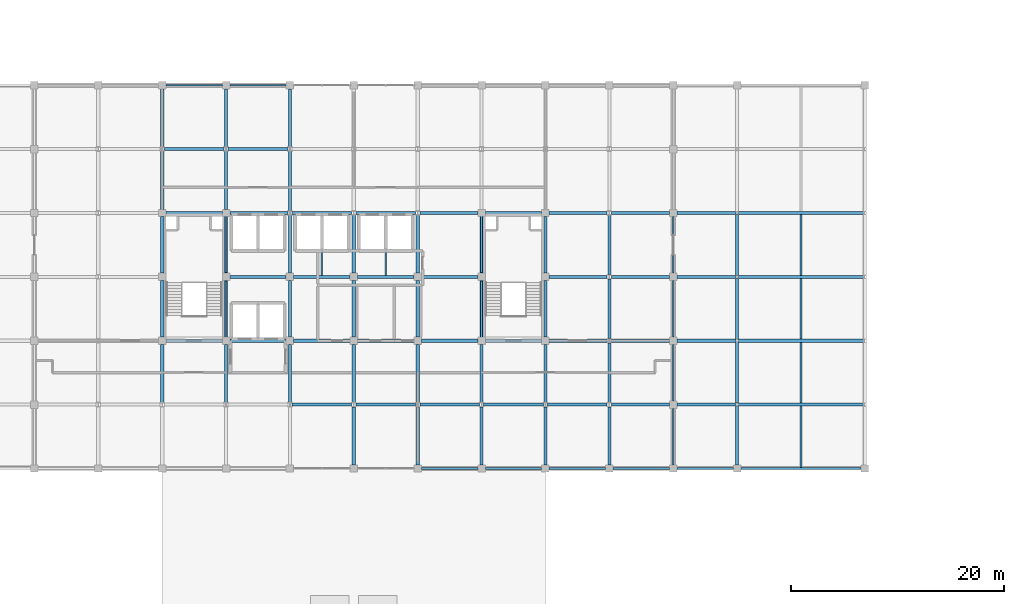
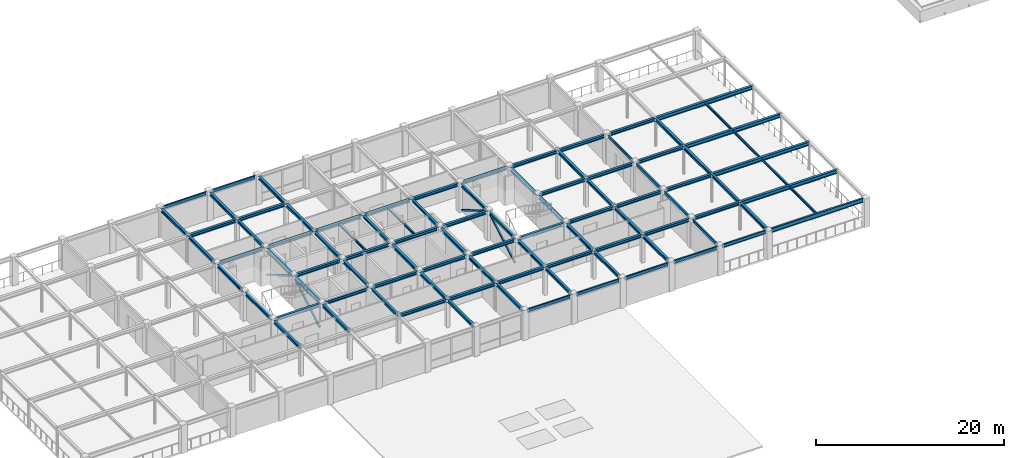
# One storey, part 14 of 25: 95 beams, 4 members.
"""IFC4 building model written with IfcOpenShell, lengths in metres."""

from ifc_helpers import new_model, si_unit, direction, frame, origin, origin_2d, place, context, subcontext, project, spatial, hollow_rectangle, i_section, extrude, material, material_profile, profile_set, type_object, element, save


model = new_model("IFC4")

# Units and contexts
model_context = context("Model", 3, precision=1e-05, world=origin(), true_north=direction((0.0, 1.0)))
body_context = subcontext(model_context, "Body", "Model", "MODEL_VIEW")
ifc_project = project(units=[si_unit("LENGTHUNIT", "METRE"), si_unit("AREAUNIT", "SQUARE_METRE"), si_unit("VOLUMEUNIT", "CUBIC_METRE"), si_unit("PLANEANGLEUNIT", "RADIAN"), si_unit("MASSUNIT", "GRAM", prefix="KILO")], contexts=[model_context])

# Site, building, storey
site_placement = place(None, origin())
site = spatial("IfcSite", under=ifc_project, at=site_placement, CompositionType="ELEMENT")
building_placement = place(site_placement, origin())
building = spatial("IfcBuilding", under=site, at=building_placement, Name="Zlatovratsky Civic Hall", CompositionType="ELEMENT")
storey_placement = place(building_placement, frame((0.0, 0.0, 21.0)))
storey = spatial("IfcBuildingStorey", under=building, at=storey_placement, Name="L05", CompositionType="ELEMENT", Elevation=21.0)

# Beams
ifc_material = material(Name="Steel S355", Category="steel")
ifc_material_profile_1 = material_profile(ifc_material, i_section(OverallWidth=0.300048828125, OverallDepth=0.487060546875, WebThickness=0.014404296875, FlangeThickness=0.017578125, FilletRadius=0.02392578125, at=origin_2d()), Name="50Sh2")
ifc_profile_set_1 = profile_set([ifc_material_profile_1], Name="Steel S355")
beam_type_1 = type_object("IfcBeamType", Name="Beam_ArchiveGirder_50Sh2", PredefinedType="BEAM", material=ifc_profile_set_1)
for number, where, z_axis, x_axis, name in (
    (1, (120.136474609375, 78.0, 3.45654296875), (1.0, 0.0, 0.0), (0.0, 1.0, 0.0), "BM-3936"),
    (2, (120.136474609375, 84.0, 3.45654296875), (1.0, 0.0, 0.0), (0.0, 1.0, 0.0), "BM-3950"),
    (3, (120.136474609375, 90.0, 3.45654296875), (1.0, 0.0, 0.0), (0.0, 1.0, 0.0), "BM-3962"),
    (4, (120.136474609375, 96.0, 3.45654296875), (1.0, 0.0, 0.0), (0.0, 1.0, 0.0), "BM-3976"),
):
    element("IfcBeam", number, at=place(storey_placement, frame(where, z_axis=z_axis, x_axis=x_axis)), inside=storey, type_object=beam_type_1, Name=name, PredefinedType="BEAM", context=body_context, shape_type="SweptSolid", body=[
        extrude(i_section(OverallWidth=0.300048828125, OverallDepth=0.487060546875, WebThickness=0.014404296875, FlangeThickness=0.017578125, FilletRadius=0.02392578125, at=origin_2d()), origin(), (0.0, 0.0, 1.0), 11.72705078125),
    ])
ifc_material_profile_2 = material_profile(ifc_material, i_section(OverallWidth=0.169921875, OverallDepth=0.446044921875, WebThickness=0.007568359375, FlangeThickness=0.010986328125, FilletRadius=0.01611328125, at=origin_2d()), Name="45B1")
ifc_profile_set_2 = profile_set([ifc_material_profile_2], Name="Steel S355")
beam_type_2 = type_object("IfcBeamType", Name="Beam_Spandrel_45B1", PredefinedType="SPANDREL", material=ifc_profile_set_2)
for number, where, z_axis, x_axis, name in (
    (5, (90.35009765625, 72.0, 3.47705078125), (1.0, 0.0, 0.0), (0.0, 1.0, 0.0), "BM-3917"),
    (6, (96.35009765625, 72.0, 3.47705078125), (1.0, 0.0, 0.0), (0.0, 1.0, 0.0), "BM-3918"),
    (7, (102.35009765625, 72.0, 3.47705078125), (1.0, 0.0, 0.0), (0.0, 1.0, 0.0), "BM-3919"),
    (8, (108.35009765625, 72.0, 3.47705078125), (1.0, 0.0, 0.0), (0.0, 1.0, 0.0), "BM-3920"),
    (9, (114.35009765625, 72.0, 3.47705078125), (1.0, 0.0, 0.0), (0.0, 1.0, 0.0), "BM-3921"),
    (10, (66.35009765625, 108.0, 3.47705078125), (1.0, 0.0, 0.0), (0.0, 1.0, 0.0), "BM-3995"),
    (11, (72.35009765625, 108.0, 3.47705078125), (1.0, 0.0, 0.0), (0.0, 1.0, 0.0), "BM-3996"),
    (12, (114.0, 72.35009765625, 3.47705078125), (0.0, 1.0, 0.0), (-1.0, 0.0, 0.0), "BM-4077"),
    (13, (114.0, 78.35009765625, 3.47705078125), (0.0, 1.0, 0.0), (-1.0, 0.0, 0.0), "BM-4078"),
    (14, (114.0, 84.35009765625, 3.47705078125), (0.0, 1.0, 0.0), (-1.0, 0.0, 0.0), "BM-4079"),
    (15, (114.0, 90.35009765625, 3.47705078125), (0.0, 1.0, 0.0), (-1.0, 0.0, 0.0), "BM-4080"),
):
    element("IfcBeam", number, at=place(storey_placement, frame(where, z_axis=z_axis, x_axis=x_axis)), inside=storey, type_object=beam_type_2, Name=name, PredefinedType="SPANDREL", context=body_context, shape_type="SweptSolid", body=[
        extrude(i_section(OverallWidth=0.169921875, OverallDepth=0.446044921875, WebThickness=0.007568359375, FlangeThickness=0.010986328125, FilletRadius=0.01611328125, at=origin_2d()), origin(), (0.0, 0.0, 1.0), 5.2998046875),
    ])
ifc_material_profile_3 = material_profile(ifc_material, i_section(OverallWidth=0.219970703125, OverallDepth=0.54296875, WebThickness=0.009521484375, FlangeThickness=0.013427734375, FilletRadius=0.01806640625, at=origin_2d()), Name="55B1")
ifc_profile_set_3 = profile_set([ifc_material_profile_3], Name="Steel S355")
beam_type_3 = type_object("IfcBeamType", Name="Beam_Spandrel_55B1", PredefinedType="SPANDREL", material=ifc_profile_set_3)
beam_1_placement = place(storey_placement, frame((120.35009765625, 72.0, 3.428466796875), z_axis=(1.0, 0.0, 0.0), x_axis=(0.0, 1.0, 0.0)))
element("IfcBeam", 16, at=beam_1_placement, inside=storey, type_object=beam_type_3, Name="BM-3922", PredefinedType="SPANDREL", context=body_context, shape_type="SweptSolid", body=[
    extrude(i_section(OverallWidth=0.219970703125, OverallDepth=0.54296875, WebThickness=0.009521484375, FlangeThickness=0.013427734375, FilletRadius=0.01806640625, at=origin_2d()), origin(), (0.0, 0.0, 1.0), 11.2998046875),
])
ifc_material_profile_4 = material_profile(ifc_material, i_section(OverallWidth=0.300048828125, OverallDepth=0.387939453125, WebThickness=0.009521484375, FlangeThickness=0.013916015625, FilletRadius=0.02197265625, at=origin_2d()), Name="40Sh1")
ifc_profile_set_4 = profile_set([ifc_material_profile_4], Name="Steel S355")
beam_type_4 = type_object("IfcBeamType", Name="Beam_TowerMid_40Sh1", PredefinedType="BEAM", material=ifc_profile_set_4)
for number, where, z_axis, x_axis, name in (
    (17, (78.199951171875, 78.0, 3.506103515625), (1.0, 0.0, 0.0), (0.0, 1.0, 0.0), "BM-3929"),
    (18, (84.199951171875, 78.0, 3.506103515625), (1.0, 0.0, 0.0), (0.0, 1.0, 0.0), "BM-3930"),
    (19, (90.199951171875, 78.0, 3.506103515625), (1.0, 0.0, 0.0), (0.0, 1.0, 0.0), "BM-3931"),
    (20, (96.199951171875, 78.0, 3.506103515625), (1.0, 0.0, 0.0), (0.0, 1.0, 0.0), "BM-3932"),
    (21, (102.199951171875, 78.0, 3.506103515625), (1.0, 0.0, 0.0), (0.0, 1.0, 0.0), "BM-3933"),
):
    element("IfcBeam", number, at=place(storey_placement, frame(where, z_axis=z_axis, x_axis=x_axis)), inside=storey, type_object=beam_type_4, Name=name, PredefinedType="BEAM", context=body_context, shape_type="SweptSolid", body=[
        extrude(i_section(OverallWidth=0.300048828125, OverallDepth=0.387939453125, WebThickness=0.009521484375, FlangeThickness=0.013916015625, FilletRadius=0.02197265625, at=origin_2d()), origin(), (0.0, 0.0, 1.0), 5.60009765625),
    ])
beam_2_placement = place(storey_placement, frame((108.199951171875, 78.0, 3.506103515625), z_axis=(1.0, 0.0, 0.0), x_axis=(0.0, 1.0, 0.0)))
element("IfcBeam", 22, at=beam_2_placement, inside=storey, type_object=beam_type_4, Name="BM-3934", PredefinedType="BEAM", context=body_context, shape_type="SweptSolid", body=[
    extrude(i_section(OverallWidth=0.300048828125, OverallDepth=0.387939453125, WebThickness=0.009521484375, FlangeThickness=0.013916015625, FilletRadius=0.02197265625, at=origin_2d()), origin(), (0.0, 0.0, 1.0), 5.449951171875),
])
beam_3_placement = place(storey_placement, frame((114.35009765625, 78.0, 3.506103515625), z_axis=(1.0, 0.0, 0.0), x_axis=(0.0, 1.0, 0.0)))
element("IfcBeam", 23, at=beam_3_placement, inside=storey, type_object=beam_type_4, Name="BM-3935", PredefinedType="BEAM", context=body_context, shape_type="SweptSolid", body=[
    extrude(i_section(OverallWidth=0.300048828125, OverallDepth=0.387939453125, WebThickness=0.009521484375, FlangeThickness=0.013916015625, FilletRadius=0.02197265625, at=origin_2d()), origin(), (0.0, 0.0, 1.0), 5.513427734375),
])
for number, where, z_axis, x_axis, name in (
    (24, (66.35009765625, 84.0, 3.506103515625), (1.0, 0.0, 0.0), (0.0, 1.0, 0.0), "BM-3941"),
    (25, (72.35009765625, 84.0, 3.506103515625), (1.0, 0.0, 0.0), (0.0, 1.0, 0.0), "BM-3942"),
    (26, (78.35009765625, 84.0, 3.506103515625), (1.0, 0.0, 0.0), (0.0, 1.0, 0.0), "BM-3943"),
    (27, (84.35009765625, 84.0, 3.506103515625), (1.0, 0.0, 0.0), (0.0, 1.0, 0.0), "BM-3944"),
    (28, (90.35009765625, 84.0, 3.506103515625), (1.0, 0.0, 0.0), (0.0, 1.0, 0.0), "BM-3945"),
    (29, (96.35009765625, 84.0, 3.506103515625), (1.0, 0.0, 0.0), (0.0, 1.0, 0.0), "BM-3946"),
):
    element("IfcBeam", number, at=place(storey_placement, frame(where, z_axis=z_axis, x_axis=x_axis)), inside=storey, type_object=beam_type_4, Name=name, PredefinedType="BEAM", context=body_context, shape_type="SweptSolid", body=[
        extrude(i_section(OverallWidth=0.300048828125, OverallDepth=0.387939453125, WebThickness=0.009521484375, FlangeThickness=0.013916015625, FilletRadius=0.02197265625, at=origin_2d()), origin(), (0.0, 0.0, 1.0), 5.2998046875),
    ])
for number, where, z_axis, x_axis, name in (
    (30, (102.35009765625, 84.0, 3.506103515625), (1.0, 0.0, 0.0), (0.0, 1.0, 0.0), "BM-3947"),
    (31, (108.199951171875, 84.0, 3.506103515625), (1.0, 0.0, 0.0), (0.0, 1.0, 0.0), "BM-3948"),
):
    element("IfcBeam", number, at=place(storey_placement, frame(where, z_axis=z_axis, x_axis=x_axis)), inside=storey, type_object=beam_type_4, Name=name, PredefinedType="BEAM", context=body_context, shape_type="SweptSolid", body=[
        extrude(i_section(OverallWidth=0.300048828125, OverallDepth=0.387939453125, WebThickness=0.009521484375, FlangeThickness=0.013916015625, FilletRadius=0.02197265625, at=origin_2d()), origin(), (0.0, 0.0, 1.0), 5.449951171875),
    ])
beam_4_placement = place(storey_placement, frame((114.35009765625, 84.0, 3.506103515625), z_axis=(1.0, 0.0, 0.0), x_axis=(0.0, 1.0, 0.0)))
element("IfcBeam", 32, at=beam_4_placement, inside=storey, type_object=beam_type_4, Name="BM-3949", PredefinedType="BEAM", context=body_context, shape_type="SweptSolid", body=[
    extrude(i_section(OverallWidth=0.300048828125, OverallDepth=0.387939453125, WebThickness=0.009521484375, FlangeThickness=0.013916015625, FilletRadius=0.02197265625, at=origin_2d()), origin(), (0.0, 0.0, 1.0), 5.513427734375),
])
for number, where, z_axis, x_axis, name in (
    (33, (72.35009765625, 90.0, 3.506103515625), (1.0, 0.0, 0.0), (0.0, 1.0, 0.0), "BM-3955"),
    (34, (78.35009765625, 90.0, 3.506103515625), (1.0, 0.0, 0.0), (0.0, 1.0, 0.0), "BM-3956"),
    (35, (84.35009765625, 90.0, 3.506103515625), (1.0, 0.0, 0.0), (0.0, 1.0, 0.0), "BM-3957"),
    (36, (90.35009765625, 90.0, 3.506103515625), (1.0, 0.0, 0.0), (0.0, 1.0, 0.0), "BM-3958"),
):
    element("IfcBeam", number, at=place(storey_placement, frame(where, z_axis=z_axis, x_axis=x_axis)), inside=storey, type_object=beam_type_4, Name=name, PredefinedType="BEAM", context=body_context, shape_type="SweptSolid", body=[
        extrude(i_section(OverallWidth=0.300048828125, OverallDepth=0.387939453125, WebThickness=0.009521484375, FlangeThickness=0.013916015625, FilletRadius=0.02197265625, at=origin_2d()), origin(), (0.0, 0.0, 1.0), 5.2998046875),
    ])
for number, where, z_axis, x_axis, name in (
    (37, (102.35009765625, 90.0, 3.506103515625), (1.0, 0.0, 0.0), (0.0, 1.0, 0.0), "BM-3959"),
    (38, (108.199951171875, 90.0, 3.506103515625), (1.0, 0.0, 0.0), (0.0, 1.0, 0.0), "BM-3960"),
):
    element("IfcBeam", number, at=place(storey_placement, frame(where, z_axis=z_axis, x_axis=x_axis)), inside=storey, type_object=beam_type_4, Name=name, PredefinedType="BEAM", context=body_context, shape_type="SweptSolid", body=[
        extrude(i_section(OverallWidth=0.300048828125, OverallDepth=0.387939453125, WebThickness=0.009521484375, FlangeThickness=0.013916015625, FilletRadius=0.02197265625, at=origin_2d()), origin(), (0.0, 0.0, 1.0), 5.449951171875),
    ])
beam_5_placement = place(storey_placement, frame((114.35009765625, 90.0, 3.506103515625), z_axis=(1.0, 0.0, 0.0), x_axis=(0.0, 1.0, 0.0)))
element("IfcBeam", 39, at=beam_5_placement, inside=storey, type_object=beam_type_4, Name="BM-3961", PredefinedType="BEAM", context=body_context, shape_type="SweptSolid", body=[
    extrude(i_section(OverallWidth=0.300048828125, OverallDepth=0.387939453125, WebThickness=0.009521484375, FlangeThickness=0.013916015625, FilletRadius=0.02197265625, at=origin_2d()), origin(), (0.0, 0.0, 1.0), 5.513427734375),
])
beam_6_placement = place(storey_placement, frame((66.35009765625, 96.0, 3.506103515625), z_axis=(1.0, 0.0, 0.0), x_axis=(0.0, 1.0, 0.0)))
element("IfcBeam", 40, at=beam_6_placement, inside=storey, type_object=beam_type_4, Name="BM-3967", PredefinedType="BEAM", context=body_context, shape_type="SweptSolid", body=[
    extrude(i_section(OverallWidth=0.300048828125, OverallDepth=0.387939453125, WebThickness=0.009521484375, FlangeThickness=0.013916015625, FilletRadius=0.02197265625, at=origin_2d()), origin(), (0.0, 0.0, 1.0), 5.2998046875),
])
beam_7_placement = place(storey_placement, frame((72.35009765625, 96.0, 3.506103515625), z_axis=(1.0, 0.0, 0.0), x_axis=(0.0, 1.0, 0.0)))
element("IfcBeam", 41, at=beam_7_placement, inside=storey, type_object=beam_type_4, Name="BM-3968", PredefinedType="BEAM", context=body_context, shape_type="SweptSolid", body=[
    extrude(i_section(OverallWidth=0.300048828125, OverallDepth=0.387939453125, WebThickness=0.009521484375, FlangeThickness=0.013916015625, FilletRadius=0.02197265625, at=origin_2d()), origin(), (0.0, 0.0, 1.0), 5.449951171875),
])
for number, where, z_axis, x_axis, name in (
    (42, (78.199951171875, 96.0, 3.506103515625), (1.0, 0.0, 0.0), (0.0, 1.0, 0.0), "BM-3969"),
    (43, (84.199951171875, 96.0, 3.506103515625), (1.0, 0.0, 0.0), (0.0, 1.0, 0.0), "BM-3970"),
):
    element("IfcBeam", number, at=place(storey_placement, frame(where, z_axis=z_axis, x_axis=x_axis)), inside=storey, type_object=beam_type_4, Name=name, PredefinedType="BEAM", context=body_context, shape_type="SweptSolid", body=[
        extrude(i_section(OverallWidth=0.300048828125, OverallDepth=0.387939453125, WebThickness=0.009521484375, FlangeThickness=0.013916015625, FilletRadius=0.02197265625, at=origin_2d()), origin(), (0.0, 0.0, 1.0), 5.60009765625),
    ])
beam_8_placement = place(storey_placement, frame((90.199951171875, 96.0, 3.506103515625), z_axis=(1.0, 0.0, 0.0), x_axis=(0.0, 1.0, 0.0)))
element("IfcBeam", 44, at=beam_8_placement, inside=storey, type_object=beam_type_4, Name="BM-3971", PredefinedType="BEAM", context=body_context, shape_type="SweptSolid", body=[
    extrude(i_section(OverallWidth=0.300048828125, OverallDepth=0.387939453125, WebThickness=0.009521484375, FlangeThickness=0.013916015625, FilletRadius=0.02197265625, at=origin_2d()), origin(), (0.0, 0.0, 1.0), 5.449951171875),
])
beam_9_placement = place(storey_placement, frame((96.35009765625, 96.0, 3.506103515625), z_axis=(1.0, 0.0, 0.0), x_axis=(0.0, 1.0, 0.0)))
element("IfcBeam", 45, at=beam_9_placement, inside=storey, type_object=beam_type_4, Name="BM-3972", PredefinedType="BEAM", context=body_context, shape_type="SweptSolid", body=[
    extrude(i_section(OverallWidth=0.300048828125, OverallDepth=0.387939453125, WebThickness=0.009521484375, FlangeThickness=0.013916015625, FilletRadius=0.02197265625, at=origin_2d()), origin(), (0.0, 0.0, 1.0), 5.2998046875),
])
for number, where, z_axis, x_axis, name in (
    (46, (102.35009765625, 96.0, 3.506103515625), (1.0, 0.0, 0.0), (0.0, 1.0, 0.0), "BM-3973"),
    (47, (108.199951171875, 96.0, 3.506103515625), (1.0, 0.0, 0.0), (0.0, 1.0, 0.0), "BM-3974"),
):
    element("IfcBeam", number, at=place(storey_placement, frame(where, z_axis=z_axis, x_axis=x_axis)), inside=storey, type_object=beam_type_4, Name=name, PredefinedType="BEAM", context=body_context, shape_type="SweptSolid", body=[
        extrude(i_section(OverallWidth=0.300048828125, OverallDepth=0.387939453125, WebThickness=0.009521484375, FlangeThickness=0.013916015625, FilletRadius=0.02197265625, at=origin_2d()), origin(), (0.0, 0.0, 1.0), 5.449951171875),
    ])
beam_10_placement = place(storey_placement, frame((114.35009765625, 96.0, 3.506103515625), z_axis=(1.0, 0.0, 0.0), x_axis=(0.0, 1.0, 0.0)))
element("IfcBeam", 48, at=beam_10_placement, inside=storey, type_object=beam_type_4, Name="BM-3975", PredefinedType="BEAM", context=body_context, shape_type="SweptSolid", body=[
    extrude(i_section(OverallWidth=0.300048828125, OverallDepth=0.387939453125, WebThickness=0.009521484375, FlangeThickness=0.013916015625, FilletRadius=0.02197265625, at=origin_2d()), origin(), (0.0, 0.0, 1.0), 5.513427734375),
])
for number, where, z_axis, x_axis, name in (
    (49, (66.199951171875, 102.0, 3.506103515625), (1.0, 0.0, 0.0), (0.0, 1.0, 0.0), "BM-3981"),
    (50, (72.199951171875, 102.0, 3.506103515625), (1.0, 0.0, 0.0), (0.0, 1.0, 0.0), "BM-3982"),
):
    element("IfcBeam", number, at=place(storey_placement, frame(where, z_axis=z_axis, x_axis=x_axis)), inside=storey, type_object=beam_type_4, Name=name, PredefinedType="BEAM", context=body_context, shape_type="SweptSolid", body=[
        extrude(i_section(OverallWidth=0.300048828125, OverallDepth=0.387939453125, WebThickness=0.009521484375, FlangeThickness=0.013916015625, FilletRadius=0.02197265625, at=origin_2d()), origin(), (0.0, 0.0, 1.0), 5.60009765625),
    ])
beam_11_placement = place(storey_placement, frame((66.0, 78.199951171875, 3.506103515625), z_axis=(0.0, 1.0, 0.0), x_axis=(-1.0, 0.0, 0.0)))
element("IfcBeam", 51, at=beam_11_placement, inside=storey, type_object=beam_type_4, Name="BM-4030", PredefinedType="BEAM", context=body_context, shape_type="SweptSolid", body=[
    extrude(i_section(OverallWidth=0.300048828125, OverallDepth=0.387939453125, WebThickness=0.009521484375, FlangeThickness=0.013916015625, FilletRadius=0.02197265625, at=origin_2d()), origin(), (0.0, 0.0, 1.0), 5.449951171875),
])
for number, where, z_axis, x_axis, name in (
    (52, (66.0, 84.35009765625, 3.506103515625), (0.0, 1.0, 0.0), (-1.0, 0.0, 0.0), "BM-4031"),
    (53, (66.0, 90.35009765625, 3.506103515625), (0.0, 1.0, 0.0), (-1.0, 0.0, 0.0), "BM-4032"),
):
    element("IfcBeam", number, at=place(storey_placement, frame(where, z_axis=z_axis, x_axis=x_axis)), inside=storey, type_object=beam_type_4, Name=name, PredefinedType="BEAM", context=body_context, shape_type="SweptSolid", body=[
        extrude(i_section(OverallWidth=0.300048828125, OverallDepth=0.387939453125, WebThickness=0.009521484375, FlangeThickness=0.013916015625, FilletRadius=0.02197265625, at=origin_2d()), origin(), (0.0, 0.0, 1.0), 5.2998046875),
    ])
for number, where, z_axis, x_axis, name in (
    (54, (66.0, 96.35009765625, 3.506103515625), (0.0, 1.0, 0.0), (-1.0, 0.0, 0.0), "BM-4033"),
    (55, (66.0, 102.199951171875, 3.506103515625), (0.0, 1.0, 0.0), (-1.0, 0.0, 0.0), "BM-4034"),
    (56, (72.0, 78.199951171875, 3.506103515625), (0.0, 1.0, 0.0), (-1.0, 0.0, 0.0), "BM-4036"),
):
    element("IfcBeam", number, at=place(storey_placement, frame(where, z_axis=z_axis, x_axis=x_axis)), inside=storey, type_object=beam_type_4, Name=name, PredefinedType="BEAM", context=body_context, shape_type="SweptSolid", body=[
        extrude(i_section(OverallWidth=0.300048828125, OverallDepth=0.387939453125, WebThickness=0.009521484375, FlangeThickness=0.013916015625, FilletRadius=0.02197265625, at=origin_2d()), origin(), (0.0, 0.0, 1.0), 5.449951171875),
    ])
for number, where, z_axis, x_axis, name in (
    (57, (72.0, 84.35009765625, 3.506103515625), (0.0, 1.0, 0.0), (-1.0, 0.0, 0.0), "BM-4037"),
    (58, (72.0, 90.35009765625, 3.506103515625), (0.0, 1.0, 0.0), (-1.0, 0.0, 0.0), "BM-4038"),
):
    element("IfcBeam", number, at=place(storey_placement, frame(where, z_axis=z_axis, x_axis=x_axis)), inside=storey, type_object=beam_type_4, Name=name, PredefinedType="BEAM", context=body_context, shape_type="SweptSolid", body=[
        extrude(i_section(OverallWidth=0.300048828125, OverallDepth=0.387939453125, WebThickness=0.009521484375, FlangeThickness=0.013916015625, FilletRadius=0.02197265625, at=origin_2d()), origin(), (0.0, 0.0, 1.0), 5.2998046875),
    ])
for number, where, z_axis, x_axis, name in (
    (59, (72.0, 96.35009765625, 3.506103515625), (0.0, 1.0, 0.0), (-1.0, 0.0, 0.0), "BM-4039"),
    (60, (72.0, 102.199951171875, 3.506103515625), (0.0, 1.0, 0.0), (-1.0, 0.0, 0.0), "BM-4040"),
    (61, (78.0, 78.199951171875, 3.506103515625), (0.0, 1.0, 0.0), (-1.0, 0.0, 0.0), "BM-4042"),
):
    element("IfcBeam", number, at=place(storey_placement, frame(where, z_axis=z_axis, x_axis=x_axis)), inside=storey, type_object=beam_type_4, Name=name, PredefinedType="BEAM", context=body_context, shape_type="SweptSolid", body=[
        extrude(i_section(OverallWidth=0.300048828125, OverallDepth=0.387939453125, WebThickness=0.009521484375, FlangeThickness=0.013916015625, FilletRadius=0.02197265625, at=origin_2d()), origin(), (0.0, 0.0, 1.0), 5.449951171875),
    ])
beam_12_placement = place(storey_placement, frame((78.0, 84.35009765625, 3.506103515625), z_axis=(0.0, 1.0, 0.0), x_axis=(-1.0, 0.0, 0.0)))
element("IfcBeam", 62, at=beam_12_placement, inside=storey, type_object=beam_type_4, Name="BM-4043", PredefinedType="BEAM", context=body_context, shape_type="SweptSolid", body=[
    extrude(i_section(OverallWidth=0.300048828125, OverallDepth=0.387939453125, WebThickness=0.009521484375, FlangeThickness=0.013916015625, FilletRadius=0.02197265625, at=origin_2d()), origin(), (0.0, 0.0, 1.0), 5.2998046875),
])
beam_13_placement = place(storey_placement, frame((78.0, 90.35009765625, 3.506103515625), z_axis=(0.0, 1.0, 0.0), x_axis=(-1.0, 0.0, 0.0)))
element("IfcBeam", 63, at=beam_13_placement, inside=storey, type_object=beam_type_4, Name="BM-4044", PredefinedType="BEAM", context=body_context, shape_type="SweptSolid", body=[
    extrude(i_section(OverallWidth=0.300048828125, OverallDepth=0.387939453125, WebThickness=0.009521484375, FlangeThickness=0.013916015625, FilletRadius=0.02197265625, at=origin_2d()), origin(), (0.0, 0.0, 1.0), 5.449951171875),
])
beam_14_placement = place(storey_placement, frame((78.0, 96.199951171875, 3.506103515625), z_axis=(0.0, 1.0, 0.0), x_axis=(-1.0, 0.0, 0.0)))
element("IfcBeam", 64, at=beam_14_placement, inside=storey, type_object=beam_type_4, Name="BM-4045", PredefinedType="BEAM", context=body_context, shape_type="SweptSolid", body=[
    extrude(i_section(OverallWidth=0.300048828125, OverallDepth=0.387939453125, WebThickness=0.009521484375, FlangeThickness=0.013916015625, FilletRadius=0.02197265625, at=origin_2d()), origin(), (0.0, 0.0, 1.0), 5.60009765625),
])
for number, where, z_axis, x_axis, name in (
    (65, (78.0, 102.199951171875, 3.506103515625), (0.0, 1.0, 0.0), (-1.0, 0.0, 0.0), "BM-4046"),
    (66, (84.0, 72.35009765625, 3.506103515625), (0.0, 1.0, 0.0), (-1.0, 0.0, 0.0), "BM-4047"),
    (67, (84.0, 78.199951171875, 3.506103515625), (0.0, 1.0, 0.0), (-1.0, 0.0, 0.0), "BM-4048"),
):
    element("IfcBeam", number, at=place(storey_placement, frame(where, z_axis=z_axis, x_axis=x_axis)), inside=storey, type_object=beam_type_4, Name=name, PredefinedType="BEAM", context=body_context, shape_type="SweptSolid", body=[
        extrude(i_section(OverallWidth=0.300048828125, OverallDepth=0.387939453125, WebThickness=0.009521484375, FlangeThickness=0.013916015625, FilletRadius=0.02197265625, at=origin_2d()), origin(), (0.0, 0.0, 1.0), 5.449951171875),
    ])
beam_15_placement = place(storey_placement, frame((84.0, 84.35009765625, 3.506103515625), z_axis=(0.0, 1.0, 0.0), x_axis=(-1.0, 0.0, 0.0)))
element("IfcBeam", 68, at=beam_15_placement, inside=storey, type_object=beam_type_4, Name="BM-4049", PredefinedType="BEAM", context=body_context, shape_type="SweptSolid", body=[
    extrude(i_section(OverallWidth=0.300048828125, OverallDepth=0.387939453125, WebThickness=0.009521484375, FlangeThickness=0.013916015625, FilletRadius=0.02197265625, at=origin_2d()), origin(), (0.0, 0.0, 1.0), 5.2998046875),
])
for number, where, z_axis, x_axis, name in (
    (69, (84.0, 90.35009765625, 3.506103515625), (0.0, 1.0, 0.0), (-1.0, 0.0, 0.0), "BM-4050"),
    (70, (90.0, 72.35009765625, 3.506103515625), (0.0, 1.0, 0.0), (-1.0, 0.0, 0.0), "BM-4053"),
    (71, (90.0, 78.199951171875, 3.506103515625), (0.0, 1.0, 0.0), (-1.0, 0.0, 0.0), "BM-4054"),
):
    element("IfcBeam", number, at=place(storey_placement, frame(where, z_axis=z_axis, x_axis=x_axis)), inside=storey, type_object=beam_type_4, Name=name, PredefinedType="BEAM", context=body_context, shape_type="SweptSolid", body=[
        extrude(i_section(OverallWidth=0.300048828125, OverallDepth=0.387939453125, WebThickness=0.009521484375, FlangeThickness=0.013916015625, FilletRadius=0.02197265625, at=origin_2d()), origin(), (0.0, 0.0, 1.0), 5.449951171875),
    ])
beam_16_placement = place(storey_placement, frame((90.0, 84.35009765625, 3.506103515625), z_axis=(0.0, 1.0, 0.0), x_axis=(-1.0, 0.0, 0.0)))
element("IfcBeam", 72, at=beam_16_placement, inside=storey, type_object=beam_type_4, Name="BM-4055", PredefinedType="BEAM", context=body_context, shape_type="SweptSolid", body=[
    extrude(i_section(OverallWidth=0.300048828125, OverallDepth=0.387939453125, WebThickness=0.009521484375, FlangeThickness=0.013916015625, FilletRadius=0.02197265625, at=origin_2d()), origin(), (0.0, 0.0, 1.0), 5.2998046875),
])
for number, where, z_axis, x_axis, name in (
    (73, (90.0, 90.35009765625, 3.506103515625), (0.0, 1.0, 0.0), (-1.0, 0.0, 0.0), "BM-4056"),
    (74, (96.0, 72.35009765625, 3.506103515625), (0.0, 1.0, 0.0), (-1.0, 0.0, 0.0), "BM-4059"),
    (75, (96.0, 78.199951171875, 3.506103515625), (0.0, 1.0, 0.0), (-1.0, 0.0, 0.0), "BM-4060"),
):
    element("IfcBeam", number, at=place(storey_placement, frame(where, z_axis=z_axis, x_axis=x_axis)), inside=storey, type_object=beam_type_4, Name=name, PredefinedType="BEAM", context=body_context, shape_type="SweptSolid", body=[
        extrude(i_section(OverallWidth=0.300048828125, OverallDepth=0.387939453125, WebThickness=0.009521484375, FlangeThickness=0.013916015625, FilletRadius=0.02197265625, at=origin_2d()), origin(), (0.0, 0.0, 1.0), 5.449951171875),
    ])
for number, where, z_axis, x_axis, name in (
    (76, (96.0, 84.35009765625, 3.506103515625), (0.0, 1.0, 0.0), (-1.0, 0.0, 0.0), "BM-4061"),
    (77, (96.0, 90.35009765625, 3.506103515625), (0.0, 1.0, 0.0), (-1.0, 0.0, 0.0), "BM-4062"),
):
    element("IfcBeam", number, at=place(storey_placement, frame(where, z_axis=z_axis, x_axis=x_axis)), inside=storey, type_object=beam_type_4, Name=name, PredefinedType="BEAM", context=body_context, shape_type="SweptSolid", body=[
        extrude(i_section(OverallWidth=0.300048828125, OverallDepth=0.387939453125, WebThickness=0.009521484375, FlangeThickness=0.013916015625, FilletRadius=0.02197265625, at=origin_2d()), origin(), (0.0, 0.0, 1.0), 5.2998046875),
    ])
for number, where, z_axis, x_axis, name in (
    (78, (102.0, 72.35009765625, 3.506103515625), (0.0, 1.0, 0.0), (-1.0, 0.0, 0.0), "BM-4065"),
    (79, (102.0, 78.199951171875, 3.506103515625), (0.0, 1.0, 0.0), (-1.0, 0.0, 0.0), "BM-4066"),
):
    element("IfcBeam", number, at=place(storey_placement, frame(where, z_axis=z_axis, x_axis=x_axis)), inside=storey, type_object=beam_type_4, Name=name, PredefinedType="BEAM", context=body_context, shape_type="SweptSolid", body=[
        extrude(i_section(OverallWidth=0.300048828125, OverallDepth=0.387939453125, WebThickness=0.009521484375, FlangeThickness=0.013916015625, FilletRadius=0.02197265625, at=origin_2d()), origin(), (0.0, 0.0, 1.0), 5.449951171875),
    ])
for number, where, z_axis, x_axis, name in (
    (80, (102.0, 84.35009765625, 3.506103515625), (0.0, 1.0, 0.0), (-1.0, 0.0, 0.0), "BM-4067"),
    (81, (102.0, 90.35009765625, 3.506103515625), (0.0, 1.0, 0.0), (-1.0, 0.0, 0.0), "BM-4068"),
):
    element("IfcBeam", number, at=place(storey_placement, frame(where, z_axis=z_axis, x_axis=x_axis)), inside=storey, type_object=beam_type_4, Name=name, PredefinedType="BEAM", context=body_context, shape_type="SweptSolid", body=[
        extrude(i_section(OverallWidth=0.300048828125, OverallDepth=0.387939453125, WebThickness=0.009521484375, FlangeThickness=0.013916015625, FilletRadius=0.02197265625, at=origin_2d()), origin(), (0.0, 0.0, 1.0), 5.2998046875),
    ])
beam_17_placement = place(storey_placement, frame((108.0, 72.35009765625, 3.506103515625), z_axis=(0.0, 1.0, 0.0), x_axis=(-1.0, 0.0, 0.0)))
element("IfcBeam", 82, at=beam_17_placement, inside=storey, type_object=beam_type_4, Name="BM-4071", PredefinedType="BEAM", context=body_context, shape_type="SweptSolid", body=[
    extrude(i_section(OverallWidth=0.300048828125, OverallDepth=0.387939453125, WebThickness=0.009521484375, FlangeThickness=0.013916015625, FilletRadius=0.02197265625, at=origin_2d()), origin(), (0.0, 0.0, 1.0), 5.449951171875),
])
for number, where, z_axis, x_axis, name in (
    (83, (108.0, 78.199951171875, 3.506103515625), (0.0, 1.0, 0.0), (-1.0, 0.0, 0.0), "BM-4072"),
    (84, (108.0, 84.199951171875, 3.506103515625), (0.0, 1.0, 0.0), (-1.0, 0.0, 0.0), "BM-4073"),
    (85, (108.0, 90.199951171875, 3.506103515625), (0.0, 1.0, 0.0), (-1.0, 0.0, 0.0), "BM-4074"),
):
    element("IfcBeam", number, at=place(storey_placement, frame(where, z_axis=z_axis, x_axis=x_axis)), inside=storey, type_object=beam_type_4, Name=name, PredefinedType="BEAM", context=body_context, shape_type="SweptSolid", body=[
        extrude(i_section(OverallWidth=0.300048828125, OverallDepth=0.387939453125, WebThickness=0.009521484375, FlangeThickness=0.013916015625, FilletRadius=0.02197265625, at=origin_2d()), origin(), (0.0, 0.0, 1.0), 5.60009765625),
    ])
beam_18_placement = place(storey_placement, frame((120.0, 72.35009765625, 3.506103515625), z_axis=(0.0, 1.0, 0.0), x_axis=(-1.0, 0.0, 0.0)))
element("IfcBeam", 86, at=beam_18_placement, inside=storey, type_object=beam_type_4, Name="BM-4083", PredefinedType="BEAM", context=body_context, shape_type="SweptSolid", body=[
    extrude(i_section(OverallWidth=0.300048828125, OverallDepth=0.387939453125, WebThickness=0.009521484375, FlangeThickness=0.013916015625, FilletRadius=0.02197265625, at=origin_2d()), origin(), (0.0, 0.0, 1.0), 5.513427734375),
])
for number, where, z_axis, x_axis, name in (
    (87, (120.0, 78.136474609375, 3.506103515625), (0.0, 1.0, 0.0), (-1.0, 0.0, 0.0), "BM-4084"),
    (88, (120.0, 84.136474609375, 3.506103515625), (0.0, 1.0, 0.0), (-1.0, 0.0, 0.0), "BM-4085"),
    (89, (120.0, 90.136474609375, 3.506103515625), (0.0, 1.0, 0.0), (-1.0, 0.0, 0.0), "BM-4086"),
):
    element("IfcBeam", number, at=place(storey_placement, frame(where, z_axis=z_axis, x_axis=x_axis)), inside=storey, type_object=beam_type_4, Name=name, PredefinedType="BEAM", context=body_context, shape_type="SweptSolid", body=[
        extrude(i_section(OverallWidth=0.300048828125, OverallDepth=0.387939453125, WebThickness=0.009521484375, FlangeThickness=0.013916015625, FilletRadius=0.02197265625, at=origin_2d()), origin(), (0.0, 0.0, 1.0), 5.72705078125),
    ])

# Members
ifc_material_profile_5 = material_profile(ifc_material, hollow_rectangle(XDim=0.199951171875, YDim=0.199951171875, WallThickness=0.010009765625, at=origin_2d()), Name="SHS 200x200x10")
ifc_profile_set_5 = profile_set([ifc_material_profile_5], Name="Steel S355")
member_type = type_object("IfcMemberType", Name="Brace_TowerLow_SHS200", PredefinedType="BRACE", material=ifc_profile_set_5)
for number, where, z_axis, x_axis, name in (
    (90, (72.0, 84.35009765625, 0.25), (0.0, 0.863172562464, 0.504909028845), (-1.0, 0.0, 0.0), "MB-0124"),
    (91, (72.0, 90.35009765625, 3.35009765625), (0.0, 0.863172562464, -0.504909028845), (-1.0, 0.0, 0.0), "MB-0125"),
    (92, (96.0, 84.35009765625, 0.25), (0.0, 0.863172562464, 0.504909028845), (-1.0, 0.0, 0.0), "MB-0126"),
    (93, (96.0, 90.35009765625, 3.35009765625), (0.0, 0.863172562464, -0.504909028845), (-1.0, 0.0, 0.0), "MB-0127"),
):
    element("IfcMember", number, at=place(storey_placement, frame(where, z_axis=z_axis, x_axis=x_axis)), inside=storey, type_object=member_type, Name=name, PredefinedType="BRACE", context=body_context, shape_type="SweptSolid", body=[
        extrude(hollow_rectangle(XDim=0.199951171875, YDim=0.199951171875, WallThickness=0.010009765625, at=origin_2d()), origin(), (0.0, 0.0, 1.0), 6.139892578125),
    ])

# Beams
ifc_material_profile_6 = material_profile(ifc_material, i_section(OverallWidth=0.14892578125, OverallDepth=0.2958984375, WebThickness=0.005615234375, FlangeThickness=0.008056640625, FilletRadius=0.012939453125, at=origin_2d()), Name="30B1")
ifc_profile_set_6 = profile_set([ifc_material_profile_6], Name="Steel S355")
beam_type_5 = type_object("IfcBeamType", Name="Joist_Tower_30B1", PredefinedType="JOIST", material=ifc_profile_set_6)
beam_19_placement = place(storey_placement, frame((126.0, 72.110107421875, 3.552001953125), z_axis=(0.0, 1.0, 0.0), x_axis=(-1.0, 0.0, 0.0)))
element("IfcBeam", 94, at=beam_19_placement, inside=storey, type_object=beam_type_5, Name="BM-4096", PredefinedType="JOIST", context=body_context, shape_type="SweptSolid", body=[
    extrude(i_section(OverallWidth=0.14892578125, OverallDepth=0.2958984375, WebThickness=0.005615234375, FlangeThickness=0.008056640625, FilletRadius=0.012939453125, at=origin_2d()), origin(), (0.0, 0.0, 1.0), 5.739990234375),
])
for number, where, z_axis, x_axis, name in (
    (95, (126.0, 78.14990234375, 3.552001953125), (0.0, 1.0, 0.0), (-1.0, 0.0, 0.0), "BM-4098"),
    (96, (126.0, 84.14990234375, 3.552001953125), (0.0, 1.0, 0.0), (-1.0, 0.0, 0.0), "BM-4100"),
    (97, (81.0, 90.14990234375, 3.552001953125), (0.0, 1.0, 0.0), (-1.0, 0.0, 0.0), "BM-4102"),
    (98, (87.0, 90.14990234375, 3.552001953125), (0.0, 1.0, 0.0), (-1.0, 0.0, 0.0), "BM-4103"),
    (99, (126.0, 90.14990234375, 3.552001953125), (0.0, 1.0, 0.0), (-1.0, 0.0, 0.0), "BM-4104"),
):
    element("IfcBeam", number, at=place(storey_placement, frame(where, z_axis=z_axis, x_axis=x_axis)), inside=storey, type_object=beam_type_5, Name=name, PredefinedType="JOIST", context=body_context, shape_type="SweptSolid", body=[
        extrude(i_section(OverallWidth=0.14892578125, OverallDepth=0.2958984375, WebThickness=0.005615234375, FlangeThickness=0.008056640625, FilletRadius=0.012939453125, at=origin_2d()), origin(), (0.0, 0.0, 1.0), 5.7001953125),
    ])

save(model, "model.ifc")
